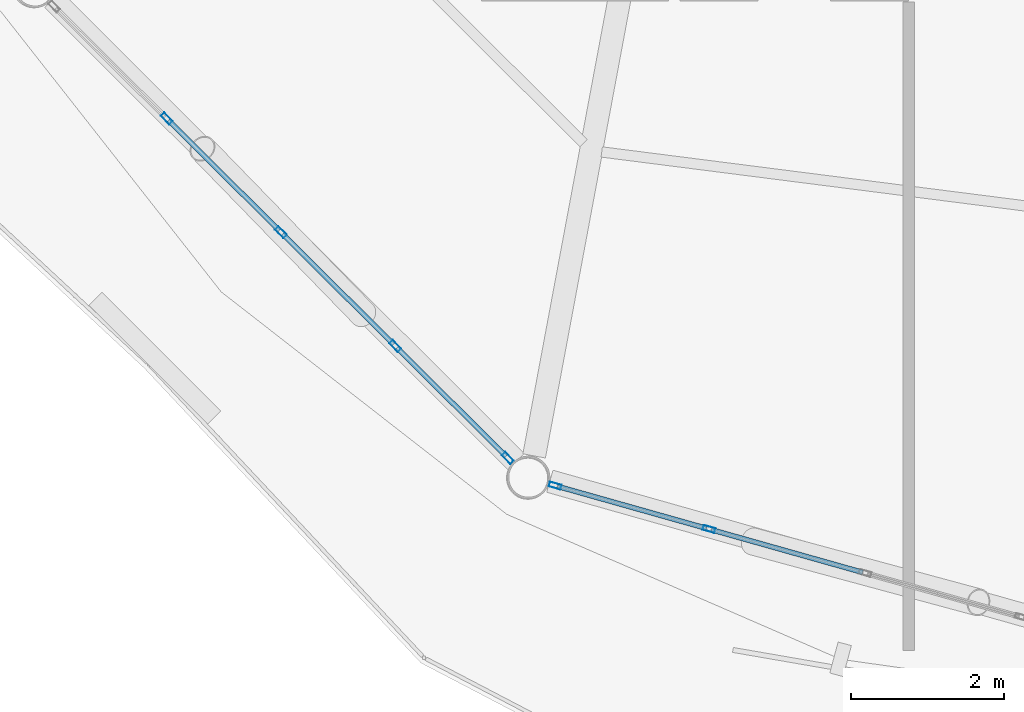
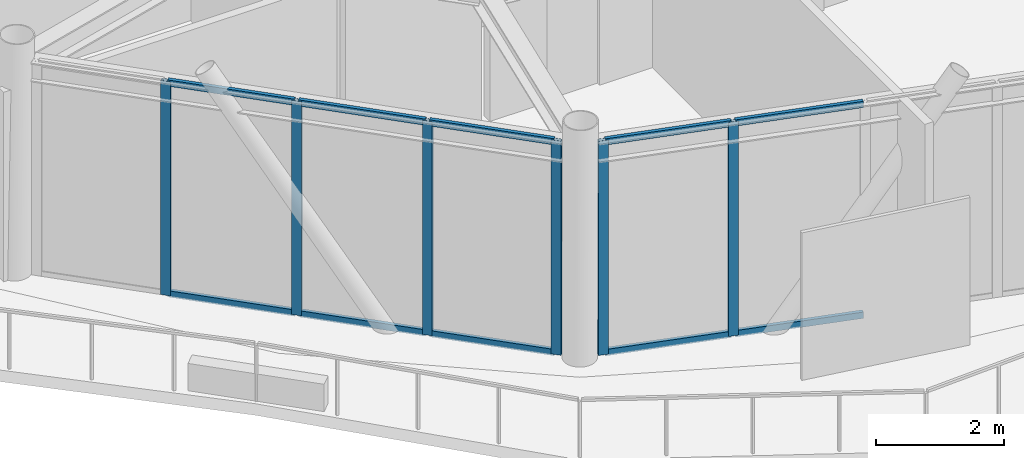
# One storey, part 2 of 24: 16 members, 2 elements without a shape of their own.
"""IFC4 building model written with IfcOpenShell, lengths in metres."""

from ifc_helpers import new_model, si_unit, direction, frame, origin, origin_2d, place, context, subcontext, project, spatial, hollow_rectangle, extrude, material, layer, layer_set, material_profile, profile_set, type_object, element, aggregate, save


model = new_model("IFC4")

# Units and contexts
model_context = context("Model", 3, precision=1e-05, world=origin(), true_north=direction((0.0, 1.0)))
body_context = subcontext(model_context, "Body", "Model", "MODEL_VIEW")
ifc_project = project(units=[si_unit("LENGTHUNIT", "METRE"), si_unit("AREAUNIT", "SQUARE_METRE"), si_unit("VOLUMEUNIT", "CUBIC_METRE"), si_unit("PLANEANGLEUNIT", "RADIAN"), si_unit("MASSUNIT", "GRAM", prefix="KILO")], contexts=[model_context])

# Site, building, storey
site_placement = place(None, origin())
site = spatial("IfcSite", under=ifc_project, at=site_placement, CompositionType="ELEMENT")
building_placement = place(site_placement, origin())
building = spatial("IfcBuilding", under=site, at=building_placement, Name="Varnakorn Sky Granary", CompositionType="ELEMENT")
storey_placement = place(building_placement, frame((0.0, 0.0, 285.0)))
storey = spatial("IfcBuildingStorey", under=building, at=storey_placement, Name="L73", CompositionType="ELEMENT", Elevation=285.0)

# Curtain wall, members
ifc_material = material(Name="Anodised Bronze Aluminium Alloy 6063-T6", Category="aluminium")
ifc_layer = layer(ifc_material, 0.159912109375, Name="Anodised Bronze Aluminium Alloy 6063-T6")
ifc_layer_set = layer_set([ifc_layer], Name="Anodised Bronze Aluminium Alloy 6063-T6")
curtain_wall_type = type_object("IfcCurtainWallType", Name="CW-OFF-1", PredefinedType="USERDEFINED", material=ifc_layer_set)
curtain_wall_1_placement = place(storey_placement, origin())
curtain_wall_1 = element("IfcCurtainWall", 1, at=curtain_wall_1_placement, inside=storey, type_object=curtain_wall_type, Name="Unitised Curtain Wall CW6 CW-L73-B08", ObjectType="CURTAIN WALL", PredefinedType="USERDEFINED")
ifc_material_profile_1 = material_profile(ifc_material, hollow_rectangle(XDim=0.06494140625, YDim=0.159912109375, WallThickness=0.00341796875, at=origin_2d()), Name="ALU MULL 65x160")
ifc_profile_set_1 = profile_set([ifc_material_profile_1], Name="Anodised Bronze Aluminium Alloy 6063-T6")
member_type_1 = type_object("IfcMemberType", Name="CW-OFF-1-MULL", PredefinedType="MULLION", material=ifc_profile_set_1)
member_1_placement = place(storey_placement, frame((-4.255126953125, -14.978759765625, 0.0), z_axis=(0.0, 0.0, 1.0), x_axis=(-0.705418921213, -0.708790621831, 0.0)))
member_1 = element("IfcMember", 2, at=member_1_placement, type_object=member_type_1, Name="CW6 mullion 1", PredefinedType="MULLION", context=body_context, shape_type="SweptSolid", body=[
    extrude(hollow_rectangle(XDim=0.06494140625, YDim=0.159912109375, WallThickness=0.00341796875, at=origin_2d()), origin(), (0.0, 0.0, 1.0), 4.080078125),
])
member_2_placement = place(storey_placement, frame((-5.72998046875, -13.510986328125, 0.0), z_axis=(0.0, 0.0, 1.0), x_axis=(-0.705418921213, -0.708790621831, 0.0)))
member_2 = element("IfcMember", 3, at=member_2_placement, type_object=member_type_1, Name="CW6 mullion 2", PredefinedType="MULLION", context=body_context, shape_type="SweptSolid", body=[
    extrude(hollow_rectangle(XDim=0.06494140625, YDim=0.159912109375, WallThickness=0.00341796875, at=origin_2d()), origin(), (0.0, 0.0, 1.0), 4.080078125),
])
member_3_placement = place(storey_placement, frame((-7.227783203125, -12.020263671875, 0.0), z_axis=(0.0, 0.0, 1.0), x_axis=(-0.705418921213, -0.708790621831, 0.0)))
member_3 = element("IfcMember", 4, at=member_3_placement, type_object=member_type_1, Name="CW6 mullion 3", PredefinedType="MULLION", context=body_context, shape_type="SweptSolid", body=[
    extrude(hollow_rectangle(XDim=0.06494140625, YDim=0.159912109375, WallThickness=0.00341796875, at=origin_2d()), origin(), (0.0, 0.0, 1.0), 4.080078125),
])
member_4_placement = place(storey_placement, frame((-8.7255859375, -10.52978515625, 0.0), z_axis=(0.0, 0.0, 1.0), x_axis=(-0.705418921213, -0.708790621831, 0.0)))
member_4 = element("IfcMember", 5, at=member_4_placement, type_object=member_type_1, Name="CW6 mullion 4", PredefinedType="MULLION", context=body_context, shape_type="SweptSolid", body=[
    extrude(hollow_rectangle(XDim=0.06494140625, YDim=0.159912109375, WallThickness=0.00341796875, at=origin_2d()), origin(), (0.0, 0.0, 1.0), 4.080078125),
])

curtain_wall_2_placement = place(storey_placement, origin())
curtain_wall_2 = element("IfcCurtainWall", 6, at=curtain_wall_2_placement, inside=storey, type_object=curtain_wall_type, Name="Unitised Curtain Wall CW6 CW-L73-B09", ObjectType="CURTAIN WALL", PredefinedType="USERDEFINED")
member_5_placement = place(storey_placement, frame((-1.61767578125, -15.910400390625, 0.0), z_axis=(0.0, 0.0, 1.0), x_axis=(-0.271372217369, -0.962474477397, 0.0)))
member_5 = element("IfcMember", 7, at=member_5_placement, type_object=member_type_1, Name="CW6 mullion 4", PredefinedType="MULLION", context=body_context, shape_type="SweptSolid", body=[
    extrude(hollow_rectangle(XDim=0.06494140625, YDim=0.159912109375, WallThickness=0.00341796875, at=origin_2d()), origin(), (0.0, 0.0, 1.0), 4.080078125),
])
member_6_placement = place(storey_placement, frame((-3.63330078125, -15.342041015625, 0.0), z_axis=(0.0, 0.0, 1.0), x_axis=(-0.271372217369, -0.962474477397, 0.0)))
member_6 = element("IfcMember", 8, at=member_6_placement, type_object=member_type_1, Name="CW6 mullion 5", PredefinedType="MULLION", context=body_context, shape_type="SweptSolid", body=[
    extrude(hollow_rectangle(XDim=0.06494140625, YDim=0.159912109375, WallThickness=0.00341796875, at=origin_2d()), origin(), (0.0, 0.0, 1.0), 4.080078125),
])

# Member
ifc_material_profile_2 = material_profile(ifc_material, hollow_rectangle(XDim=0.06494140625, YDim=0.1201171875, WallThickness=0.00341796875, at=origin_2d()), Name="ALU TRAN 65x120")
ifc_profile_set_2 = profile_set([ifc_material_profile_2], Name="Anodised Bronze Aluminium Alloy 6063-T6")
member_type_2 = type_object("IfcMemberType", Name="CW-OFF-1-TRAN", PredefinedType="USERDEFINED", material=ifc_profile_set_2)
member_7_placement = place(storey_placement, frame((-4.278076171875, -14.955810546875, 0.032470703125), z_axis=(-0.708800442822, 0.705409053143, 0.0), x_axis=(-0.705409053143, -0.708800442822, 0.0)))
member_7 = element("IfcMember", 9, at=member_7_placement, type_object=member_type_2, Name="CW6 transom 1.1", ObjectType="TRANSOM", PredefinedType="USERDEFINED", context=body_context, shape_type="SweptSolid", body=[
    extrude(hollow_rectangle(XDim=0.06494140625, YDim=0.1201171875, WallThickness=0.00341796875, at=origin_2d()), origin(), (0.0, 0.0, 1.0), 2.015625),
])

member_8_placement = place(storey_placement, frame((-4.278076171875, -14.955810546875, 4.047607421875), z_axis=(-0.708800442822, 0.705409053143, 0.0), x_axis=(-0.705409053143, -0.708800442822, 0.0)))
member_8 = element("IfcMember", 10, at=member_8_placement, type_object=member_type_2, Name="CW6 transom 1.2", ObjectType="TRANSOM", PredefinedType="USERDEFINED", context=body_context, shape_type="SweptSolid", body=[
    extrude(hollow_rectangle(XDim=0.06494140625, YDim=0.1201171875, WallThickness=0.00341796875, at=origin_2d()), origin(), (0.0, 0.0, 1.0), 2.015625),
])

member_9_placement = place(storey_placement, frame((-5.7529296875, -13.488037109375, 0.032470703125), z_axis=(-0.708773636482, 0.705435987336, 0.0), x_axis=(-0.705435987336, -0.708773636482, 0.0)))
member_9 = element("IfcMember", 11, at=member_9_placement, type_object=member_type_2, Name="CW6 transom 2.1", ObjectType="TRANSOM", PredefinedType="USERDEFINED", context=body_context, shape_type="SweptSolid", body=[
    extrude(hollow_rectangle(XDim=0.06494140625, YDim=0.1201171875, WallThickness=0.00341796875, at=origin_2d()), origin(), (0.0, 0.0, 1.0), 2.048095703125),
])

member_10_placement = place(storey_placement, frame((-5.7529296875, -13.488037109375, 4.047607421875), z_axis=(-0.708773636482, 0.705435987336, 0.0), x_axis=(-0.705435987336, -0.708773636482, 0.0)))
member_10 = element("IfcMember", 12, at=member_10_placement, type_object=member_type_2, Name="CW6 transom 2.2", ObjectType="TRANSOM", PredefinedType="USERDEFINED", context=body_context, shape_type="SweptSolid", body=[
    extrude(hollow_rectangle(XDim=0.06494140625, YDim=0.1201171875, WallThickness=0.00341796875, at=origin_2d()), origin(), (0.0, 0.0, 1.0), 2.048095703125),
])

member_11_placement = place(storey_placement, frame((-7.250732421875, -11.997314453125, 0.032470703125), z_axis=(-0.708773636482, 0.705435987336, 0.0), x_axis=(-0.705435987336, -0.708773636482, 0.0)))
member_11 = element("IfcMember", 13, at=member_11_placement, type_object=member_type_2, Name="CW6 transom 3.1", ObjectType="TRANSOM", PredefinedType="USERDEFINED", context=body_context, shape_type="SweptSolid", body=[
    extrude(hollow_rectangle(XDim=0.06494140625, YDim=0.1201171875, WallThickness=0.00341796875, at=origin_2d()), origin(), (0.0, 0.0, 1.0), 2.048095703125),
])

member_12_placement = place(storey_placement, frame((-7.250732421875, -11.997314453125, 4.047607421875), z_axis=(-0.708773636482, 0.705435987336, 0.0), x_axis=(-0.705435987336, -0.708773636482, 0.0)))
member_12 = element("IfcMember", 14, at=member_12_placement, type_object=member_type_2, Name="CW6 transom 3.2", ObjectType="TRANSOM", PredefinedType="USERDEFINED", context=body_context, shape_type="SweptSolid", body=[
    extrude(hollow_rectangle(XDim=0.06494140625, YDim=0.1201171875, WallThickness=0.00341796875, at=origin_2d()), origin(), (0.0, 0.0, 1.0), 2.048095703125),
])

aggregate(curtain_wall_1, [member_1, member_2, member_3, member_4, member_7, member_8, member_9, member_10, member_11, member_12])

member_13_placement = place(storey_placement, frame((0.39794921875, -16.478759765625, 0.032470703125), z_axis=(-0.962465539742, 0.271403914504, 0.0), x_axis=(-0.271403914504, -0.962465539742, 0.0)))
member_13 = element("IfcMember", 15, at=member_13_placement, type_object=member_type_2, Name="CW6 transom 3.1", ObjectType="TRANSOM", PredefinedType="USERDEFINED", context=body_context, shape_type="SweptSolid", body=[
    extrude(hollow_rectangle(XDim=0.06494140625, YDim=0.1201171875, WallThickness=0.00341796875, at=origin_2d()), origin(), (0.0, 0.0, 1.0), 2.061767578125),
])

member_14_placement = place(storey_placement, frame((0.39794921875, -16.478759765625, 4.047607421875), z_axis=(-0.962465539742, 0.271403914504, 0.0), x_axis=(-0.271403914504, -0.962465539742, 0.0)))
member_14 = element("IfcMember", 16, at=member_14_placement, type_object=member_type_2, Name="CW6 transom 3.2", ObjectType="TRANSOM", PredefinedType="USERDEFINED", context=body_context, shape_type="SweptSolid", body=[
    extrude(hollow_rectangle(XDim=0.06494140625, YDim=0.1201171875, WallThickness=0.00341796875, at=origin_2d()), origin(), (0.0, 0.0, 1.0), 2.061767578125),
])

member_15_placement = place(storey_placement, frame((-1.64892578125, -15.901611328125, 0.032470703125), z_axis=(-0.962462570258, 0.271414444813, 0.0), x_axis=(-0.271414444813, -0.962462570258, 0.0)))
member_15 = element("IfcMember", 17, at=member_15_placement, type_object=member_type_2, Name="CW6 transom 4.1", ObjectType="TRANSOM", PredefinedType="USERDEFINED", context=body_context, shape_type="SweptSolid", body=[
    extrude(hollow_rectangle(XDim=0.06494140625, YDim=0.1201171875, WallThickness=0.00341796875, at=origin_2d()), origin(), (0.0, 0.0, 1.0), 2.029296875),
])

member_16_placement = place(storey_placement, frame((-1.64892578125, -15.901611328125, 4.047607421875), z_axis=(-0.962462570258, 0.271414444813, 0.0), x_axis=(-0.271414444813, -0.962462570258, 0.0)))
member_16 = element("IfcMember", 18, at=member_16_placement, type_object=member_type_2, Name="CW6 transom 4.2", ObjectType="TRANSOM", PredefinedType="USERDEFINED", context=body_context, shape_type="SweptSolid", body=[
    extrude(hollow_rectangle(XDim=0.06494140625, YDim=0.1201171875, WallThickness=0.00341796875, at=origin_2d()), origin(), (0.0, 0.0, 1.0), 2.029296875),
])

aggregate(curtain_wall_2, [member_5, member_6, member_13, member_14, member_15, member_16])

save(model, "model.ifc")
